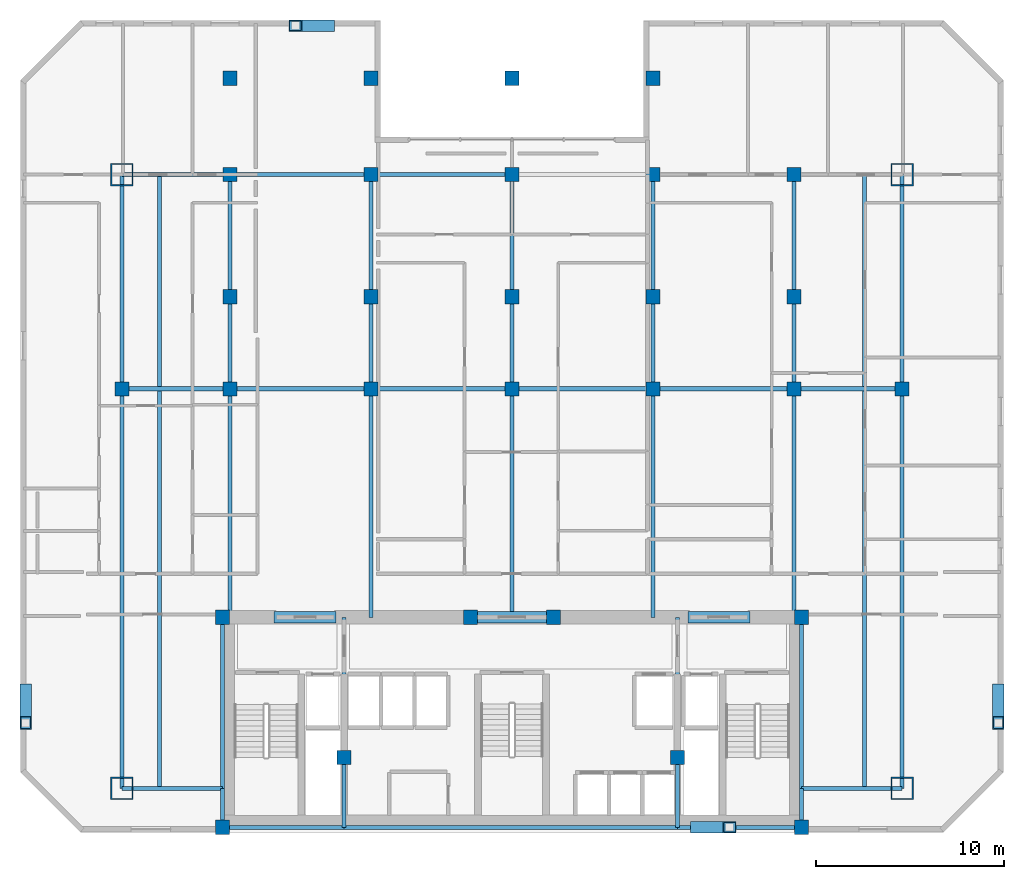
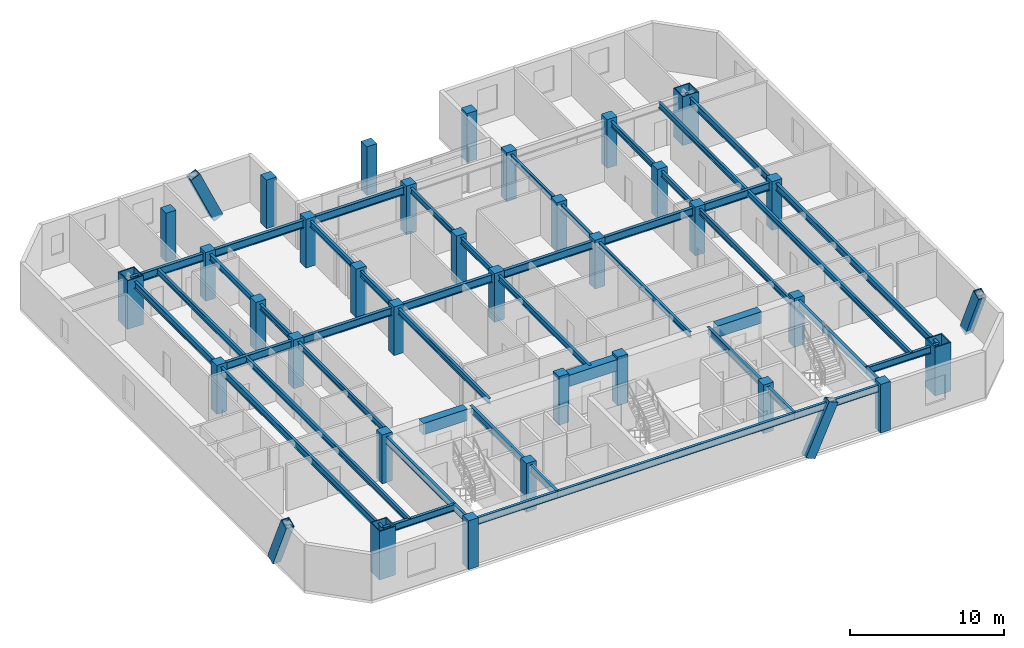
# One storey, part 1 of 9: 43 beams, 33 columns, 4 members.
"""IFC4 building model written with IfcOpenShell, lengths in metres."""

from ifc_helpers import new_model, si_unit, direction, frame, origin, origin_2d, place, context, subcontext, project, spatial, rectangle, hollow_rectangle, i_section, extrude, material, material_profile, profile_set, type_object, element, save


model = new_model("IFC4")

# Units and contexts
model_context = context("Model", 3, precision=1e-05, world=origin(), true_north=direction((0.0, 1.0)))
body_context = subcontext(model_context, "Body", "Model", "MODEL_VIEW")
ifc_project = project(units=[si_unit("LENGTHUNIT", "METRE"), si_unit("AREAUNIT", "SQUARE_METRE"), si_unit("VOLUMEUNIT", "CUBIC_METRE"), si_unit("PLANEANGLEUNIT", "RADIAN"), si_unit("MASSUNIT", "GRAM", prefix="KILO")], contexts=[model_context])

# Site, building, storey
site_placement = place(None, origin())
site = spatial("IfcSite", under=ifc_project, at=site_placement, CompositionType="ELEMENT")
building_placement = place(site_placement, origin())
building = spatial("IfcBuilding", under=site, at=building_placement, Name="Ventersveld Concourse Tower", CompositionType="ELEMENT")
storey_placement = place(building_placement, frame((0.0, 0.0, 145.199951171875)))
storey = spatial("IfcBuildingStorey", under=building, at=storey_placement, Name="L35", CompositionType="ELEMENT", Elevation=145.199951171875)

# Columns
ifc_material_1 = material(Name="Concrete C50/60", Category="concrete")
ifc_material_profile_1 = material_profile(ifc_material_1, rectangle(XDim=0.75, YDim=0.75, at=origin_2d()), Name="RC 750x750")
ifc_profile_set_1 = profile_set([ifc_material_profile_1], Name="Concrete C50/60")
column_type_1 = type_object("IfcColumnType", Name="COL-RC750", PredefinedType="COLUMN", material=ifc_profile_set_1)
for number, where, z_axis, x_axis, name in (
    (1, (13.35009765625, 0.280029296875, 0.0), (0.0, 0.0, 1.0), (1.0, 0.0, 0.0), "L35 Core Spine Column CC-SW"),
    (2, (44.14990234375, 0.280029296875, 0.0), (0.0, 0.0, 1.0), (1.0, 0.0, 0.0), "L35 Core Spine Column CC-SE"),
    (3, (13.35009765625, 11.449951171875, 0.0), (0.0, 0.0, 1.0), (1.0, 0.0, 0.0), "L35 Core Spine Column CC-NW"),
    (4, (44.14990234375, 11.449951171875, 0.0), (0.0, 0.0, 1.0), (1.0, 0.0, 0.0), "L35 Core Spine Column CC-NE"),
    (5, (19.820068359375, 4.0, 0.0), (0.0, 0.0, 1.0), (1.0, 0.0, 0.0), "L35 Core Spine Column CM-1"),
    (6, (37.550048828125, 4.0, 0.0), (0.0, 0.0, 1.0), (1.0, 0.0, 0.0), "L35 Core Spine Column CM-2"),
    (7, (26.550048828125, 11.449951171875, 0.0), (0.0, 0.0, 1.0), (1.0, 0.0, 0.0), "L35 Core Spine Column CM-3"),
    (8, (30.949951171875, 11.449951171875, 0.0), (0.0, 0.0, 1.0), (1.0, 0.0, 0.0), "L35 Core Spine Column CM-4"),
    (9, (8.0, 23.60009765625, 0.0), (0.0, 0.0, 1.0), (1.0, 0.0, 0.0), "L35 Interior Gravity Column X=8.00 Y=23.60"),
    (10, (13.75, 23.60009765625, 0.0), (0.0, 0.0, 1.0), (1.0, 0.0, 0.0), "L35 Interior Gravity Column X=13.75 Y=23.60"),
    (11, (21.25, 23.60009765625, 0.0), (0.0, 0.0, 1.0), (1.0, 0.0, 0.0), "L35 Interior Gravity Column X=21.25 Y=23.60"),
    (12, (28.75, 23.60009765625, 0.0), (0.0, 0.0, 1.0), (1.0, 0.0, 0.0), "L35 Interior Gravity Column X=28.75 Y=23.60"),
    (13, (36.25, 23.60009765625, 0.0), (0.0, 0.0, 1.0), (1.0, 0.0, 0.0), "L35 Interior Gravity Column X=36.25 Y=23.60"),
    (14, (43.75, 23.60009765625, 0.0), (0.0, 0.0, 1.0), (1.0, 0.0, 0.0), "L35 Interior Gravity Column X=43.75 Y=23.60"),
    (15, (49.5, 23.60009765625, 0.0), (0.0, 0.0, 1.0), (1.0, 0.0, 0.0), "L35 Interior Gravity Column X=49.50 Y=23.60"),
    (16, (13.75, 28.5, 0.0), (0.0, 0.0, 1.0), (1.0, 0.0, 0.0), "L35 Upper-North Gravity Column X=13.75 Y=28.50"),
    (17, (21.25, 28.5, 0.0), (0.0, 0.0, 1.0), (1.0, 0.0, 0.0), "L35 Upper-North Gravity Column X=21.25 Y=28.50"),
    (18, (28.75, 28.5, 0.0), (0.0, 0.0, 1.0), (1.0, 0.0, 0.0), "L35 Upper-North Gravity Column X=28.75 Y=28.50"),
    (19, (36.25, 28.5, 0.0), (0.0, 0.0, 1.0), (1.0, 0.0, 0.0), "L35 Upper-North Gravity Column X=36.25 Y=28.50"),
    (20, (43.75, 28.5, 0.0), (0.0, 0.0, 1.0), (1.0, 0.0, 0.0), "L35 Upper-North Gravity Column X=43.75 Y=28.50"),
    (21, (13.75, 40.1201171875, 0.0), (0.0, 0.0, 1.0), (1.0, 0.0, 0.0), "L35 North Brace Node Column X=13.75 Y=40.12"),
    (22, (21.25, 40.1201171875, 0.0), (0.0, 0.0, 1.0), (1.0, 0.0, 0.0), "L35 North Brace Node Column X=21.25 Y=40.12"),
    (23, (28.75, 40.1201171875, 0.0), (0.0, 0.0, 1.0), (1.0, 0.0, 0.0), "L35 North Brace Node Column X=28.75 Y=40.12"),
    (24, (36.25, 40.1201171875, 0.0), (0.0, 0.0, 1.0), (1.0, 0.0, 0.0), "L35 North Brace Node Column X=36.25 Y=40.12"),
    (25, (13.75, 35.0, 0.0), (0.0, 0.0, 1.0), (1.0, 0.0, 0.0), "L35 Mid-North Column X=13.75 Y=35.00"),
    (26, (21.25, 35.0, 0.0), (0.0, 0.0, 1.0), (1.0, 0.0, 0.0), "L35 Mid-North Column X=21.25 Y=35.00"),
    (27, (28.75, 35.0, 0.0), (0.0, 0.0, 1.0), (1.0, 0.0, 0.0), "L35 Mid-North Column X=28.75 Y=35.00"),
    (28, (36.25, 35.0, 0.0), (0.0, 0.0, 1.0), (1.0, 0.0, 0.0), "L35 Mid-North Column X=36.25 Y=35.00"),
    (29, (43.75, 35.0, 0.0), (0.0, 0.0, 1.0), (1.0, 0.0, 0.0), "L35 Mid-North Column X=43.75 Y=35.00"),
):
    element("IfcColumn", number, at=place(storey_placement, frame(where, z_axis=z_axis, x_axis=x_axis)), inside=storey, type_object=column_type_1, Name=name, PredefinedType="COLUMN", context=body_context, shape_type="SweptSolid", body=[
        extrude(rectangle(XDim=0.75, YDim=0.75, at=origin_2d()), origin(), (0.0, 0.0, 1.0), 3.85009765625),
    ])
ifc_material_2 = material(Name="Structural steel S460ML", Category="steel")
ifc_material_profile_2 = material_profile(ifc_material_2, hollow_rectangle(XDim=1.199951171875, YDim=1.199951171875, WallThickness=0.070068359375, at=origin_2d()), Name="BOX 1200x1200x70")
ifc_profile_set_2 = profile_set([ifc_material_profile_2], Name="Structural steel S460ML")
column_type_2 = type_object("IfcColumnType", Name="MC-1200", PredefinedType="USERDEFINED", material=ifc_profile_set_2)
for number, where, z_axis, x_axis, name in (
    (30, (8.0, 2.35009765625, 0.0), (0.0, 0.0, 1.0), (1.0, 0.0, 0.0), "L35 Corner Mega-Column MC-SW"),
    (31, (49.5, 2.35009765625, 0.0), (0.0, 0.0, 1.0), (1.0, 0.0, 0.0), "L35 Corner Mega-Column MC-SE"),
    (32, (49.5, 35.0, 0.0), (0.0, 0.0, 1.0), (1.0, 0.0, 0.0), "L35 Corner Mega-Column MC-NE"),
    (33, (8.0, 35.0, 0.0), (0.0, 0.0, 1.0), (1.0, 0.0, 0.0), "L35 Corner Mega-Column MC-NW"),
):
    element("IfcColumn", number, at=place(storey_placement, frame(where, z_axis=z_axis, x_axis=x_axis)), inside=storey, type_object=column_type_2, Name=name, ObjectType="MEGA_COLUMN", PredefinedType="USERDEFINED", context=body_context, shape_type="SweptSolid", body=[
        extrude(hollow_rectangle(XDim=1.199951171875, YDim=1.199951171875, WallThickness=0.070068359375, at=origin_2d()), origin(), (0.0, 0.0, 1.0), 3.85009765625),
    ])

# Beams
ifc_material_3 = material(Name="Structural steel S355J2", Category="steel")
ifc_material_profile_3 = material_profile(ifc_material_3, i_section(OverallWidth=0.18994140625, OverallDepth=0.453369140625, WebThickness=0.008544921875, FlangeThickness=0.0126953125, FilletRadius=0.01025390625, at=origin_2d()), Name="UB 457x191x67")
ifc_profile_set_3 = profile_set([ifc_material_profile_3], Name="Structural steel S355J2")
beam_type_1 = type_object("IfcBeamType", Name="BM-UB457", PredefinedType="BEAM", material=ifc_profile_set_3)
beam_1_placement = place(storey_placement, frame((10.0, 2.35009765625, 3.4033203125), z_axis=(0.0, 1.0, 0.0), x_axis=(-1.0, 0.0, 0.0)))
element("IfcBeam", 34, at=beam_1_placement, inside=storey, type_object=beam_type_1, Name="L35 N-S Composite Floor Beam South X=10.00", PredefinedType="BEAM", context=body_context, shape_type="SweptSolid", body=[
    extrude(i_section(OverallWidth=0.18994140625, OverallDepth=0.453369140625, WebThickness=0.008544921875, FlangeThickness=0.0126953125, FilletRadius=0.01025390625, at=origin_2d()), origin(), (0.0, 0.0, 1.0), 21.15478515625),
])
beam_2_placement = place(storey_placement, frame((10.0, 23.695068359375, 3.4033203125), z_axis=(0.0, 1.0, 0.0), x_axis=(-1.0, 0.0, 0.0)))
element("IfcBeam", 35, at=beam_2_placement, inside=storey, type_object=beam_type_1, Name="L35 N-S Composite Floor Beam Mid X=10.00", PredefinedType="BEAM", context=body_context, shape_type="SweptSolid", body=[
    extrude(i_section(OverallWidth=0.18994140625, OverallDepth=0.453369140625, WebThickness=0.008544921875, FlangeThickness=0.0126953125, FilletRadius=0.01025390625, at=origin_2d()), origin(), (0.0, 0.0, 1.0), 11.304931640625),
])
beam_3_placement = place(storey_placement, frame((13.75, 11.449951171875, 3.4033203125), z_axis=(0.0, 1.0, 0.0), x_axis=(-1.0, 0.0, 0.0)))
element("IfcBeam", 36, at=beam_3_placement, inside=storey, type_object=beam_type_1, Name="L35 N-S Composite Floor Beam South X=13.75", PredefinedType="BEAM", context=body_context, shape_type="SweptSolid", body=[
    extrude(i_section(OverallWidth=0.18994140625, OverallDepth=0.453369140625, WebThickness=0.008544921875, FlangeThickness=0.0126953125, FilletRadius=0.01025390625, at=origin_2d()), origin(), (0.0, 0.0, 1.0), 12.150146484375),
])
beam_4_placement = place(storey_placement, frame((13.75, 23.60009765625, 3.4033203125), z_axis=(0.0, 1.0, 0.0), x_axis=(-1.0, 0.0, 0.0)))
element("IfcBeam", 37, at=beam_4_placement, inside=storey, type_object=beam_type_1, Name="L35 N-S Composite Floor Beam Mid X=13.75", PredefinedType="BEAM", context=body_context, shape_type="SweptSolid", body=[
    extrude(i_section(OverallWidth=0.18994140625, OverallDepth=0.453369140625, WebThickness=0.008544921875, FlangeThickness=0.0126953125, FilletRadius=0.01025390625, at=origin_2d()), origin(), (0.0, 0.0, 1.0), 11.39990234375),
])
beam_5_placement = place(storey_placement, frame((21.25, 11.449951171875, 3.4033203125), z_axis=(0.0, 1.0, 0.0), x_axis=(-1.0, 0.0, 0.0)))
element("IfcBeam", 38, at=beam_5_placement, inside=storey, type_object=beam_type_1, Name="L35 N-S Composite Floor Beam South X=21.25", PredefinedType="BEAM", context=body_context, shape_type="SweptSolid", body=[
    extrude(i_section(OverallWidth=0.18994140625, OverallDepth=0.453369140625, WebThickness=0.008544921875, FlangeThickness=0.0126953125, FilletRadius=0.01025390625, at=origin_2d()), origin(), (0.0, 0.0, 1.0), 12.150146484375),
])
beam_6_placement = place(storey_placement, frame((21.25, 23.60009765625, 3.4033203125), z_axis=(0.0, 1.0, 0.0), x_axis=(-1.0, 0.0, 0.0)))
element("IfcBeam", 39, at=beam_6_placement, inside=storey, type_object=beam_type_1, Name="L35 N-S Composite Floor Beam Mid X=21.25", PredefinedType="BEAM", context=body_context, shape_type="SweptSolid", body=[
    extrude(i_section(OverallWidth=0.18994140625, OverallDepth=0.453369140625, WebThickness=0.008544921875, FlangeThickness=0.0126953125, FilletRadius=0.01025390625, at=origin_2d()), origin(), (0.0, 0.0, 1.0), 11.39990234375),
])
beam_7_placement = place(storey_placement, frame((28.75, 11.449951171875, 3.4033203125), z_axis=(0.0, 1.0, 0.0), x_axis=(-1.0, 0.0, 0.0)))
element("IfcBeam", 40, at=beam_7_placement, inside=storey, type_object=beam_type_1, Name="L35 N-S Composite Floor Beam South X=28.75", PredefinedType="BEAM", context=body_context, shape_type="SweptSolid", body=[
    extrude(i_section(OverallWidth=0.18994140625, OverallDepth=0.453369140625, WebThickness=0.008544921875, FlangeThickness=0.0126953125, FilletRadius=0.01025390625, at=origin_2d()), origin(), (0.0, 0.0, 1.0), 12.150146484375),
])
beam_8_placement = place(storey_placement, frame((28.75, 23.60009765625, 3.4033203125), z_axis=(0.0, 1.0, 0.0), x_axis=(-1.0, 0.0, 0.0)))
element("IfcBeam", 41, at=beam_8_placement, inside=storey, type_object=beam_type_1, Name="L35 N-S Composite Floor Beam Mid X=28.75", PredefinedType="BEAM", context=body_context, shape_type="SweptSolid", body=[
    extrude(i_section(OverallWidth=0.18994140625, OverallDepth=0.453369140625, WebThickness=0.008544921875, FlangeThickness=0.0126953125, FilletRadius=0.01025390625, at=origin_2d()), origin(), (0.0, 0.0, 1.0), 11.39990234375),
])
beam_9_placement = place(storey_placement, frame((36.25, 11.449951171875, 3.4033203125), z_axis=(0.0, 1.0, 0.0), x_axis=(-1.0, 0.0, 0.0)))
element("IfcBeam", 42, at=beam_9_placement, inside=storey, type_object=beam_type_1, Name="L35 N-S Composite Floor Beam South X=36.25", PredefinedType="BEAM", context=body_context, shape_type="SweptSolid", body=[
    extrude(i_section(OverallWidth=0.18994140625, OverallDepth=0.453369140625, WebThickness=0.008544921875, FlangeThickness=0.0126953125, FilletRadius=0.01025390625, at=origin_2d()), origin(), (0.0, 0.0, 1.0), 12.150146484375),
])
beam_10_placement = place(storey_placement, frame((36.25, 23.60009765625, 3.4033203125), z_axis=(0.0, 1.0, 0.0), x_axis=(-1.0, 0.0, 0.0)))
element("IfcBeam", 43, at=beam_10_placement, inside=storey, type_object=beam_type_1, Name="L35 N-S Composite Floor Beam Mid X=36.25", PredefinedType="BEAM", context=body_context, shape_type="SweptSolid", body=[
    extrude(i_section(OverallWidth=0.18994140625, OverallDepth=0.453369140625, WebThickness=0.008544921875, FlangeThickness=0.0126953125, FilletRadius=0.01025390625, at=origin_2d()), origin(), (0.0, 0.0, 1.0), 11.39990234375),
])
beam_11_placement = place(storey_placement, frame((43.75, 11.449951171875, 3.4033203125), z_axis=(0.0, 1.0, 0.0), x_axis=(-1.0, 0.0, 0.0)))
element("IfcBeam", 44, at=beam_11_placement, inside=storey, type_object=beam_type_1, Name="L35 N-S Composite Floor Beam South X=43.75", PredefinedType="BEAM", context=body_context, shape_type="SweptSolid", body=[
    extrude(i_section(OverallWidth=0.18994140625, OverallDepth=0.453369140625, WebThickness=0.008544921875, FlangeThickness=0.0126953125, FilletRadius=0.01025390625, at=origin_2d()), origin(), (0.0, 0.0, 1.0), 12.150146484375),
])
beam_12_placement = place(storey_placement, frame((43.75, 23.60009765625, 3.4033203125), z_axis=(0.0, 1.0, 0.0), x_axis=(-1.0, 0.0, 0.0)))
element("IfcBeam", 45, at=beam_12_placement, inside=storey, type_object=beam_type_1, Name="L35 N-S Composite Floor Beam Mid X=43.75", PredefinedType="BEAM", context=body_context, shape_type="SweptSolid", body=[
    extrude(i_section(OverallWidth=0.18994140625, OverallDepth=0.453369140625, WebThickness=0.008544921875, FlangeThickness=0.0126953125, FilletRadius=0.01025390625, at=origin_2d()), origin(), (0.0, 0.0, 1.0), 11.39990234375),
])
beam_13_placement = place(storey_placement, frame((47.5, 2.35009765625, 3.4033203125), z_axis=(0.0, 1.0, 0.0), x_axis=(-1.0, 0.0, 0.0)))
element("IfcBeam", 46, at=beam_13_placement, inside=storey, type_object=beam_type_1, Name="L35 N-S Composite Floor Beam South X=47.50", PredefinedType="BEAM", context=body_context, shape_type="SweptSolid", body=[
    extrude(i_section(OverallWidth=0.18994140625, OverallDepth=0.453369140625, WebThickness=0.008544921875, FlangeThickness=0.0126953125, FilletRadius=0.01025390625, at=origin_2d()), origin(), (0.0, 0.0, 1.0), 21.15478515625),
])
beam_14_placement = place(storey_placement, frame((47.5, 23.695068359375, 3.4033203125), z_axis=(0.0, 1.0, 0.0), x_axis=(-1.0, 0.0, 0.0)))
element("IfcBeam", 47, at=beam_14_placement, inside=storey, type_object=beam_type_1, Name="L35 N-S Composite Floor Beam Mid X=47.50", PredefinedType="BEAM", context=body_context, shape_type="SweptSolid", body=[
    extrude(i_section(OverallWidth=0.18994140625, OverallDepth=0.453369140625, WebThickness=0.008544921875, FlangeThickness=0.0126953125, FilletRadius=0.01025390625, at=origin_2d()), origin(), (0.0, 0.0, 1.0), 11.304931640625),
])
ifc_material_4 = material(Name="Concrete C60/75", Category="concrete")
ifc_material_profile_4 = material_profile(ifc_material_4, rectangle(XDim=0.60009765625, YDim=0.89990234375, at=origin_2d()), Name="RC 600x900")
ifc_profile_set_4 = profile_set([ifc_material_profile_4], Name="Concrete C60/75")
beam_type_2 = type_object("IfcBeamType", Name="CB-RC600x900L", PredefinedType="LINTEL", material=ifc_profile_set_4)
beam_15_placement = place(storey_placement, frame((16.10009765625, 11.449951171875, 3.179931640625), z_axis=(1.0, 0.0, 0.0), x_axis=(0.0, 1.0, 0.0)))
element("IfcBeam", 48, at=beam_15_placement, inside=storey, type_object=beam_type_2, Name="L35 Core Coupling Lintel Beam 1", PredefinedType="LINTEL", context=body_context, shape_type="SweptSolid", body=[
    extrude(rectangle(XDim=0.60009765625, YDim=0.89990234375, at=origin_2d()), origin(), (0.0, 0.0, 1.0), 3.2998046875),
])
beam_16_placement = place(storey_placement, frame((26.5, 11.449951171875, 3.179931640625), z_axis=(1.0, 0.0, 0.0), x_axis=(0.0, 1.0, 0.0)))
element("IfcBeam", 49, at=beam_16_placement, inside=storey, type_object=beam_type_2, Name="L35 Core Coupling Lintel Beam 2", PredefinedType="LINTEL", context=body_context, shape_type="SweptSolid", body=[
    extrude(rectangle(XDim=0.60009765625, YDim=0.89990234375, at=origin_2d()), origin(), (0.0, 0.0, 1.0), 4.5),
])
beam_17_placement = place(storey_placement, frame((38.10009765625, 11.449951171875, 3.179931640625), z_axis=(1.0, 0.0, 0.0), x_axis=(0.0, 1.0, 0.0)))
element("IfcBeam", 50, at=beam_17_placement, inside=storey, type_object=beam_type_2, Name="L35 Core Coupling Lintel Beam 3", PredefinedType="LINTEL", context=body_context, shape_type="SweptSolid", body=[
    extrude(rectangle(XDim=0.60009765625, YDim=0.89990234375, at=origin_2d()), origin(), (0.0, 0.0, 1.0), 3.2998046875),
])
ifc_material_profile_5 = material_profile(ifc_material_3, i_section(OverallWidth=0.2119140625, OverallDepth=0.54443359375, WebThickness=0.0126953125, FlangeThickness=0.021240234375, FilletRadius=0.0126953125, at=origin_2d()), Name="UB 533x210x122")
ifc_profile_set_5 = profile_set([ifc_material_profile_5], Name="Structural steel S355J2")
beam_type_3 = type_object("IfcBeamType", Name="GRD-UB533H", PredefinedType="T_BEAM", material=ifc_profile_set_5)
beam_18_placement = place(storey_placement, frame((13.35009765625, 0.280029296875, 3.357666015625), z_axis=(0.0, 1.0, 0.0), x_axis=(-1.0, 0.0, 0.0)))
element("IfcBeam", 51, at=beam_18_placement, inside=storey, type_object=beam_type_3, Name="L35 Core West Tie Beam S", PredefinedType="T_BEAM", context=body_context, shape_type="SweptSolid", body=[
    extrude(i_section(OverallWidth=0.2119140625, OverallDepth=0.54443359375, WebThickness=0.0126953125, FlangeThickness=0.021240234375, FilletRadius=0.0126953125, at=origin_2d()), origin(), (0.0, 0.0, 1.0), 2.070068359375),
])
beam_19_placement = place(storey_placement, frame((13.35009765625, 2.35009765625, 3.357666015625), z_axis=(0.0, 1.0, 0.0), x_axis=(-1.0, 0.0, 0.0)))
element("IfcBeam", 52, at=beam_19_placement, inside=storey, type_object=beam_type_3, Name="L35 Core West Tie Beam N", PredefinedType="T_BEAM", context=body_context, shape_type="SweptSolid", body=[
    extrude(i_section(OverallWidth=0.2119140625, OverallDepth=0.54443359375, WebThickness=0.0126953125, FlangeThickness=0.021240234375, FilletRadius=0.0126953125, at=origin_2d()), origin(), (0.0, 0.0, 1.0), 9.099853515625),
])
beam_20_placement = place(storey_placement, frame((44.14990234375, 0.280029296875, 3.357666015625), z_axis=(0.0, 1.0, 0.0), x_axis=(-1.0, 0.0, 0.0)))
element("IfcBeam", 53, at=beam_20_placement, inside=storey, type_object=beam_type_3, Name="L35 Core East Tie Beam S", PredefinedType="T_BEAM", context=body_context, shape_type="SweptSolid", body=[
    extrude(i_section(OverallWidth=0.2119140625, OverallDepth=0.54443359375, WebThickness=0.0126953125, FlangeThickness=0.021240234375, FilletRadius=0.0126953125, at=origin_2d()), origin(), (0.0, 0.0, 1.0), 2.070068359375),
])
beam_21_placement = place(storey_placement, frame((44.14990234375, 2.35009765625, 3.357666015625), z_axis=(0.0, 1.0, 0.0), x_axis=(-1.0, 0.0, 0.0)))
element("IfcBeam", 54, at=beam_21_placement, inside=storey, type_object=beam_type_3, Name="L35 Core East Tie Beam N", PredefinedType="T_BEAM", context=body_context, shape_type="SweptSolid", body=[
    extrude(i_section(OverallWidth=0.2119140625, OverallDepth=0.54443359375, WebThickness=0.0126953125, FlangeThickness=0.021240234375, FilletRadius=0.0126953125, at=origin_2d()), origin(), (0.0, 0.0, 1.0), 9.099853515625),
])
beam_22_placement = place(storey_placement, frame((13.35009765625, 0.280029296875, 3.357666015625), z_axis=(1.0, 0.0, 0.0), x_axis=(0.0, 1.0, 0.0)))
element("IfcBeam", 55, at=beam_22_placement, inside=storey, type_object=beam_type_3, Name="L35 Core South Tie Beam W", PredefinedType="T_BEAM", context=body_context, shape_type="SweptSolid", body=[
    extrude(i_section(OverallWidth=0.2119140625, OverallDepth=0.54443359375, WebThickness=0.0126953125, FlangeThickness=0.021240234375, FilletRadius=0.0126953125, at=origin_2d()), origin(), (0.0, 0.0, 1.0), 6.469970703125),
])
beam_23_placement = place(storey_placement, frame((19.820068359375, 0.280029296875, 3.357666015625), z_axis=(1.0, 0.0, 0.0), x_axis=(0.0, 1.0, 0.0)))
element("IfcBeam", 56, at=beam_23_placement, inside=storey, type_object=beam_type_3, Name="L35 Core South Tie Beam C", PredefinedType="T_BEAM", context=body_context, shape_type="SweptSolid", body=[
    extrude(i_section(OverallWidth=0.2119140625, OverallDepth=0.54443359375, WebThickness=0.0126953125, FlangeThickness=0.021240234375, FilletRadius=0.0126953125, at=origin_2d()), origin(), (0.0, 0.0, 1.0), 17.72998046875),
])
beam_24_placement = place(storey_placement, frame((37.550048828125, 0.280029296875, 3.357666015625), z_axis=(1.0, 0.0, 0.0), x_axis=(0.0, 1.0, 0.0)))
element("IfcBeam", 57, at=beam_24_placement, inside=storey, type_object=beam_type_3, Name="L35 Core South Tie Beam E", PredefinedType="T_BEAM", context=body_context, shape_type="SweptSolid", body=[
    extrude(i_section(OverallWidth=0.2119140625, OverallDepth=0.54443359375, WebThickness=0.0126953125, FlangeThickness=0.021240234375, FilletRadius=0.0126953125, at=origin_2d()), origin(), (0.0, 0.0, 1.0), 6.599853515625),
])
beam_25_placement = place(storey_placement, frame((19.820068359375, 0.280029296875, 3.357666015625), z_axis=(0.0, 1.0, 0.0), x_axis=(-1.0, 0.0, 0.0)))
element("IfcBeam", 58, at=beam_25_placement, inside=storey, type_object=beam_type_3, Name="L35 Core Spine N-S Tie Beam W1", PredefinedType="T_BEAM", context=body_context, shape_type="SweptSolid", body=[
    extrude(i_section(OverallWidth=0.2119140625, OverallDepth=0.54443359375, WebThickness=0.0126953125, FlangeThickness=0.021240234375, FilletRadius=0.0126953125, at=origin_2d()), origin(), (0.0, 0.0, 1.0), 3.719970703125),
])
beam_26_placement = place(storey_placement, frame((19.820068359375, 4.0, 3.357666015625), z_axis=(0.0, 1.0, 0.0), x_axis=(-1.0, 0.0, 0.0)))
element("IfcBeam", 59, at=beam_26_placement, inside=storey, type_object=beam_type_3, Name="L35 Core Spine N-S Tie Beam W2", PredefinedType="T_BEAM", context=body_context, shape_type="SweptSolid", body=[
    extrude(i_section(OverallWidth=0.2119140625, OverallDepth=0.54443359375, WebThickness=0.0126953125, FlangeThickness=0.021240234375, FilletRadius=0.0126953125, at=origin_2d()), origin(), (0.0, 0.0, 1.0), 7.449951171875),
])
beam_27_placement = place(storey_placement, frame((37.550048828125, 0.280029296875, 3.357666015625), z_axis=(0.0, 1.0, 0.0), x_axis=(-1.0, 0.0, 0.0)))
element("IfcBeam", 60, at=beam_27_placement, inside=storey, type_object=beam_type_3, Name="L35 Core Spine N-S Tie Beam E1", PredefinedType="T_BEAM", context=body_context, shape_type="SweptSolid", body=[
    extrude(i_section(OverallWidth=0.2119140625, OverallDepth=0.54443359375, WebThickness=0.0126953125, FlangeThickness=0.021240234375, FilletRadius=0.0126953125, at=origin_2d()), origin(), (0.0, 0.0, 1.0), 3.719970703125),
])
beam_28_placement = place(storey_placement, frame((37.550048828125, 4.0, 3.357666015625), z_axis=(0.0, 1.0, 0.0), x_axis=(-1.0, 0.0, 0.0)))
element("IfcBeam", 61, at=beam_28_placement, inside=storey, type_object=beam_type_3, Name="L35 Core Spine N-S Tie Beam E2", PredefinedType="T_BEAM", context=body_context, shape_type="SweptSolid", body=[
    extrude(i_section(OverallWidth=0.2119140625, OverallDepth=0.54443359375, WebThickness=0.0126953125, FlangeThickness=0.021240234375, FilletRadius=0.0126953125, at=origin_2d()), origin(), (0.0, 0.0, 1.0), 7.449951171875),
])
ifc_material_profile_6 = material_profile(ifc_material_3, i_section(OverallWidth=0.230224609375, OverallDepth=0.6171875, WebThickness=0.01318359375, FlangeThickness=0.022216796875, FilletRadius=0.0126953125, at=origin_2d()), Name="UB 610x229x140")
ifc_profile_set_6 = profile_set([ifc_material_profile_6], Name="Structural steel S355J2")
beam_type_4 = type_object("IfcBeamType", Name="GRD-UB610", PredefinedType="USERDEFINED", material=ifc_profile_set_6)
beam_29_placement = place(storey_placement, frame((8.0, 23.60009765625, 3.321533203125), z_axis=(1.0, 0.0, 0.0), x_axis=(0.0, 1.0, 0.0)))
element("IfcBeam", 62, at=beam_29_placement, inside=storey, type_object=beam_type_4, Name="L35 Primary E-W Grid Girder Y=23.60 #1", ObjectType="GIRDER", PredefinedType="USERDEFINED", context=body_context, shape_type="SweptSolid", body=[
    extrude(i_section(OverallWidth=0.230224609375, OverallDepth=0.6171875, WebThickness=0.01318359375, FlangeThickness=0.022216796875, FilletRadius=0.0126953125, at=origin_2d()), origin(), (0.0, 0.0, 1.0), 5.75),
])
for number, where, z_axis, x_axis, name in (
    (63, (13.75, 23.60009765625, 3.321533203125), (1.0, 0.0, 0.0), (0.0, 1.0, 0.0), "L35 Primary E-W Grid Girder Y=23.60 #2"),
    (64, (21.25, 23.60009765625, 3.321533203125), (1.0, 0.0, 0.0), (0.0, 1.0, 0.0), "L35 Primary E-W Grid Girder Y=23.60 #3"),
    (65, (28.75, 23.60009765625, 3.321533203125), (1.0, 0.0, 0.0), (0.0, 1.0, 0.0), "L35 Primary E-W Grid Girder Y=23.60 #4"),
    (66, (36.25, 23.60009765625, 3.321533203125), (1.0, 0.0, 0.0), (0.0, 1.0, 0.0), "L35 Primary E-W Grid Girder Y=23.60 #5"),
):
    element("IfcBeam", number, at=place(storey_placement, frame(where, z_axis=z_axis, x_axis=x_axis)), inside=storey, type_object=beam_type_4, Name=name, ObjectType="GIRDER", PredefinedType="USERDEFINED", context=body_context, shape_type="SweptSolid", body=[
        extrude(i_section(OverallWidth=0.230224609375, OverallDepth=0.6171875, WebThickness=0.01318359375, FlangeThickness=0.022216796875, FilletRadius=0.0126953125, at=origin_2d()), origin(), (0.0, 0.0, 1.0), 7.5),
    ])
for number, where, z_axis, x_axis, name in (
    (67, (43.75, 23.60009765625, 3.321533203125), (1.0, 0.0, 0.0), (0.0, 1.0, 0.0), "L35 Primary E-W Grid Girder Y=23.60 #6"),
    (68, (8.0, 35.0, 3.321533203125), (1.0, 0.0, 0.0), (0.0, 1.0, 0.0), "L35 E-W Grid Girder Y=35.00 #1"),
):
    element("IfcBeam", number, at=place(storey_placement, frame(where, z_axis=z_axis, x_axis=x_axis)), inside=storey, type_object=beam_type_4, Name=name, ObjectType="GIRDER", PredefinedType="USERDEFINED", context=body_context, shape_type="SweptSolid", body=[
        extrude(i_section(OverallWidth=0.230224609375, OverallDepth=0.6171875, WebThickness=0.01318359375, FlangeThickness=0.022216796875, FilletRadius=0.0126953125, at=origin_2d()), origin(), (0.0, 0.0, 1.0), 5.75),
    ])
for number, where, z_axis, x_axis, name in (
    (69, (13.75, 35.0, 3.321533203125), (1.0, 0.0, 0.0), (0.0, 1.0, 0.0), "L35 E-W Grid Girder Y=35.00 #2"),
    (70, (21.25, 35.0, 3.321533203125), (1.0, 0.0, 0.0), (0.0, 1.0, 0.0), "L35 E-W Grid Girder Y=35.00 #3"),
):
    element("IfcBeam", number, at=place(storey_placement, frame(where, z_axis=z_axis, x_axis=x_axis)), inside=storey, type_object=beam_type_4, Name=name, ObjectType="GIRDER", PredefinedType="USERDEFINED", context=body_context, shape_type="SweptSolid", body=[
        extrude(i_section(OverallWidth=0.230224609375, OverallDepth=0.6171875, WebThickness=0.01318359375, FlangeThickness=0.022216796875, FilletRadius=0.0126953125, at=origin_2d()), origin(), (0.0, 0.0, 1.0), 7.5),
    ])

# Members
ifc_material_5 = material(Name="Structural steel S355ML", Category="steel")
ifc_material_profile_7 = material_profile(ifc_material_5, hollow_rectangle(XDim=0.60009765625, YDim=0.75, WallThickness=0.0400390625, at=origin_2d()), Name="BOX 750x600x40")
ifc_profile_set_7 = profile_set([ifc_material_profile_7], Name="Structural steel S355ML")
member_type = type_object("IfcMemberType", Name="MB-750x600", PredefinedType="BRACE", material=ifc_profile_set_7)
for number, where, z_axis, x_axis, name in (
    (71, (18.968505859375, 42.919921875, -0.219970703125), (-0.411733807219, 0.0, 0.911304159978), (0.0, -1.0, 0.0), "L35 Exterior Mega-Brace N (Module M08)"),
    (72, (38.58154296875, 0.280029296875, -0.219970703125), (0.411733807219, 0.0, 0.911304159978), (0.0, 1.0, 0.0), "L35 Exterior Mega-Brace S (Module M08)"),
    (73, (2.8798828125, 7.568359375, -0.219970703125), (0.0, -0.411733807219, 0.911304159978), (1.0, 0.0, 0.0), "L35 Exterior Mega-Brace W (Module M08)"),
    (74, (54.6201171875, 7.568359375, -0.219970703125), (0.0, -0.411733807219, 0.911304159978), (1.0, 0.0, 0.0), "L35 Exterior Mega-Brace E (Module M08)"),
):
    element("IfcMember", number, at=place(storey_placement, frame(where, z_axis=z_axis, x_axis=x_axis)), inside=storey, type_object=member_type, Name=name, PredefinedType="BRACE", context=body_context, shape_type="SweptSolid", body=[
        extrude(hollow_rectangle(XDim=0.60009765625, YDim=0.75, WallThickness=0.0400390625, at=origin_2d()), origin(), (0.0, 0.0, 1.0), 4.224853515625),
    ])

# Beams
ifc_material_profile_8 = material_profile(ifc_material_3, i_section(OverallWidth=0.2119140625, OverallDepth=0.54443359375, WebThickness=0.0126953125, FlangeThickness=0.021240234375, FilletRadius=0.0126953125, at=origin_2d()), Name="UB 533x210x122")
ifc_profile_set_8 = profile_set([ifc_material_profile_8], Name="Structural steel S355J2")
beam_type_5 = type_object("IfcBeamType", Name="SPD-UB533", PredefinedType="SPANDREL", material=ifc_profile_set_8)
for number, where, z_axis, x_axis, name in (
    (75, (8.0, 2.35009765625, 3.357666015625), (1.0, 0.0, 0.0), (0.0, 1.0, 0.0), "L35 SW Spandrel Beam"),
    (76, (44.14990234375, 2.35009765625, 3.357666015625), (1.0, 0.0, 0.0), (0.0, 1.0, 0.0), "L35 SE Spandrel Beam"),
):
    element("IfcBeam", number, at=place(storey_placement, frame(where, z_axis=z_axis, x_axis=x_axis)), inside=storey, type_object=beam_type_5, Name=name, PredefinedType="SPANDREL", context=body_context, shape_type="SweptSolid", body=[
        extrude(i_section(OverallWidth=0.2119140625, OverallDepth=0.54443359375, WebThickness=0.0126953125, FlangeThickness=0.021240234375, FilletRadius=0.0126953125, at=origin_2d()), origin(), (0.0, 0.0, 1.0), 5.35009765625),
    ])
beam_30_placement = place(storey_placement, frame((8.0, 2.35009765625, 3.357666015625), z_axis=(0.0, 1.0, 0.0), x_axis=(-1.0, 0.0, 0.0)))
element("IfcBeam", 77, at=beam_30_placement, inside=storey, type_object=beam_type_5, Name="L35 West Spandrel Beam S", PredefinedType="SPANDREL", context=body_context, shape_type="SweptSolid", body=[
    extrude(i_section(OverallWidth=0.2119140625, OverallDepth=0.54443359375, WebThickness=0.0126953125, FlangeThickness=0.021240234375, FilletRadius=0.0126953125, at=origin_2d()), origin(), (0.0, 0.0, 1.0), 21.25),
])
beam_31_placement = place(storey_placement, frame((8.0, 23.60009765625, 3.357666015625), z_axis=(0.0, 1.0, 0.0), x_axis=(-1.0, 0.0, 0.0)))
element("IfcBeam", 78, at=beam_31_placement, inside=storey, type_object=beam_type_5, Name="L35 West Spandrel Beam N", PredefinedType="SPANDREL", context=body_context, shape_type="SweptSolid", body=[
    extrude(i_section(OverallWidth=0.2119140625, OverallDepth=0.54443359375, WebThickness=0.0126953125, FlangeThickness=0.021240234375, FilletRadius=0.0126953125, at=origin_2d()), origin(), (0.0, 0.0, 1.0), 11.39990234375),
])
beam_32_placement = place(storey_placement, frame((49.5, 2.35009765625, 3.357666015625), z_axis=(0.0, 1.0, 0.0), x_axis=(-1.0, 0.0, 0.0)))
element("IfcBeam", 79, at=beam_32_placement, inside=storey, type_object=beam_type_5, Name="L35 East Spandrel Beam S", PredefinedType="SPANDREL", context=body_context, shape_type="SweptSolid", body=[
    extrude(i_section(OverallWidth=0.2119140625, OverallDepth=0.54443359375, WebThickness=0.0126953125, FlangeThickness=0.021240234375, FilletRadius=0.0126953125, at=origin_2d()), origin(), (0.0, 0.0, 1.0), 21.25),
])
beam_33_placement = place(storey_placement, frame((49.5, 23.60009765625, 3.357666015625), z_axis=(0.0, 1.0, 0.0), x_axis=(-1.0, 0.0, 0.0)))
element("IfcBeam", 80, at=beam_33_placement, inside=storey, type_object=beam_type_5, Name="L35 East Spandrel Beam N", PredefinedType="SPANDREL", context=body_context, shape_type="SweptSolid", body=[
    extrude(i_section(OverallWidth=0.2119140625, OverallDepth=0.54443359375, WebThickness=0.0126953125, FlangeThickness=0.021240234375, FilletRadius=0.0126953125, at=origin_2d()), origin(), (0.0, 0.0, 1.0), 11.39990234375),
])

save(model, "model.ifc")
